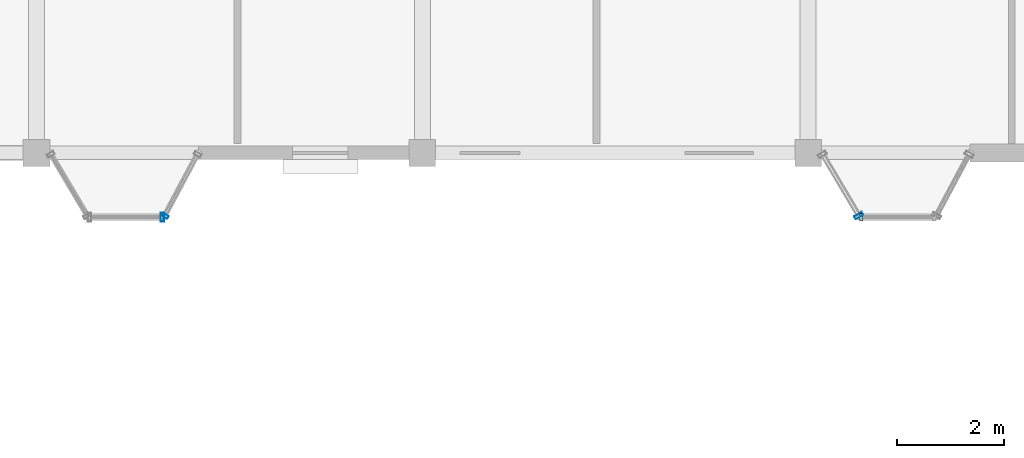
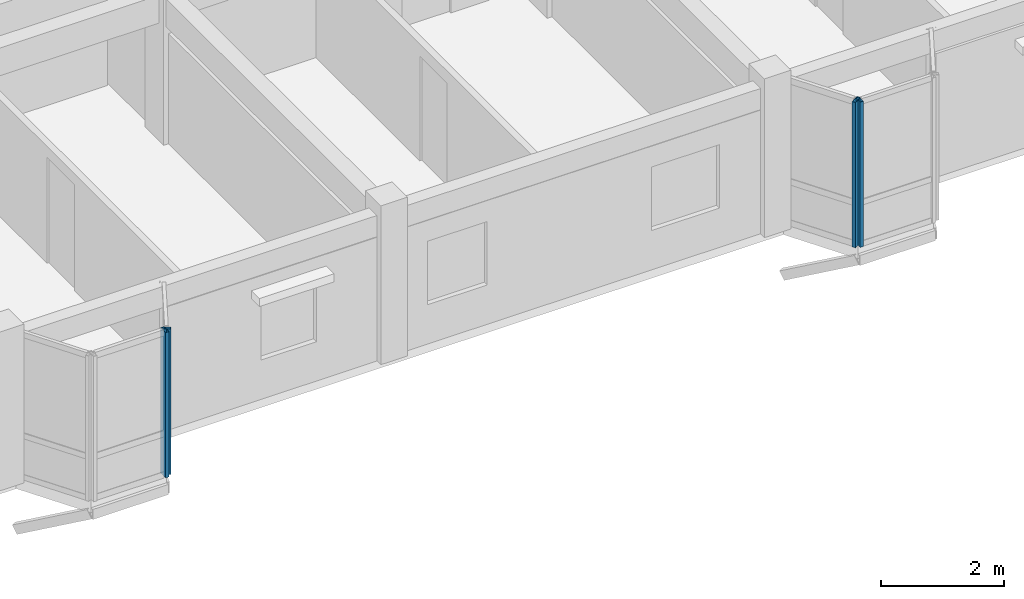
# One storey, part 32 of 65: 4 members, 4 elements without a shape of their own.
"""IFC4 building model written with IfcOpenShell, lengths in metres."""

from ifc_helpers import new_model, si_unit, direction, frame, origin, origin_2d, place, context, subcontext, project, spatial, hollow_rectangle, extrude, material, layer, layer_set, material_profile, profile_set, type_object, element, aggregate, save


model = new_model("IFC4")

# Units and contexts
model_context = context("Model", 3, precision=1e-05, world=origin(), true_north=direction((0.0, 1.0)))
body_context = subcontext(model_context, "Body", "Model", "MODEL_VIEW")
ifc_project = project(units=[si_unit("LENGTHUNIT", "METRE"), si_unit("AREAUNIT", "SQUARE_METRE"), si_unit("VOLUMEUNIT", "CUBIC_METRE"), si_unit("PLANEANGLEUNIT", "RADIAN"), si_unit("MASSUNIT", "GRAM", prefix="KILO"), si_unit("THERMODYNAMICTEMPERATUREUNIT", "KELVIN"), si_unit("POWERUNIT", "WATT")], contexts=[model_context])

# Site, building, storey
site_placement = place(None, origin())
site = spatial("IfcSite", under=ifc_project, at=site_placement, CompositionType="ELEMENT")
building_placement = place(site_placement, origin())
building = spatial("IfcBuilding", under=site, at=building_placement, Name="Tavuni Mirador Residences", CompositionType="ELEMENT")
storey_placement = place(building_placement, frame((0.0, 0.0, 29.699951171875)))
storey = spatial("IfcBuildingStorey", under=building, at=storey_placement, Name="L09", CompositionType="ELEMENT", Elevation=29.699951171875)

# Curtain wall, member
ifc_material = material(Name="Anodised aluminium", Category="aluminium")
ifc_layer_1 = layer(ifc_material, 0.175048828125, Name="Anodised aluminium", Category="aluminium")
ifc_layer_set_1 = layer_set([ifc_layer_1], Name="Anodised aluminium")
curtain_wall_type_1 = type_object("IfcCurtainWallType", Name="CWT-MIR-C", PredefinedType="NOTDEFINED", material=ifc_layer_set_1)
curtain_wall_1_placement = place(storey_placement, origin())
curtain_wall_1 = element("IfcCurtainWall", 1, at=curtain_wall_1_placement, inside=storey, type_object=curtain_wall_type_1, Name="CW-MIR-C-S2-L09-M2", PredefinedType="NOTDEFINED")
ifc_material_profile_1 = material_profile(ifc_material, hollow_rectangle(XDim=0.06005859375, YDim=0.139892578125, WallThickness=0.00390625, at=origin_2d()), Name="ALU 60x140x4.0", Category="aluminium")
ifc_profile_set_1 = profile_set([ifc_material_profile_1], Name="Anodised aluminium")
member_type_1 = type_object("IfcMemberType", Name="CWM-140", PredefinedType="MULLION", material=ifc_profile_set_1)
member_1_placement = place(storey_placement, frame((34.794189453125, 142.826416015625, 0.0), z_axis=(0.0, 0.0, 1.0), x_axis=(0.470588235296, 0.882352941175, 0.0)))
member_1 = element("IfcMember", 2, at=member_1_placement, type_object=member_type_1, Name="CW-03 mullion 1", PredefinedType="MULLION", context=body_context, shape_type="SweptSolid", body=[
    extrude(hollow_rectangle(XDim=0.06005859375, YDim=0.139892578125, WallThickness=0.00390625, at=origin_2d()), origin(), (0.0, 0.0, 1.0), 2.885009765625),
])
aggregate(curtain_wall_1, [member_1])

ifc_layer_2 = layer(ifc_material, 0.1650390625, Name="Anodised aluminium", Category="aluminium")
ifc_layer_set_2 = layer_set([ifc_layer_2], Name="Anodised aluminium")
curtain_wall_type_2 = type_object("IfcCurtainWallType", Name="CWT-MIR-A", PredefinedType="NOTDEFINED", material=ifc_layer_set_2)
curtain_wall_2_placement = place(storey_placement, origin())
curtain_wall_2 = element("IfcCurtainWall", 3, at=curtain_wall_2_placement, inside=storey, type_object=curtain_wall_type_2, Name="CW-MIR-C-S3-L09-MF", PredefinedType="NOTDEFINED")
member_2_placement = place(storey_placement, frame((47.7900390625, 142.800048828125, 0.0), z_axis=(0.0, 0.0, 1.0), x_axis=(1.0, 0.0, 0.0)))
member_2 = element("IfcMember", 4, at=member_2_placement, type_object=member_type_1, Name="CW-01 mullion 1", PredefinedType="MULLION", context=body_context, shape_type="SweptSolid", body=[
    extrude(hollow_rectangle(XDim=0.06005859375, YDim=0.139892578125, WallThickness=0.00390625, at=origin_2d()), origin(), (0.0, 0.0, 1.0), 2.885009765625),
])
aggregate(curtain_wall_2, [member_2])

ifc_layer_3 = layer(ifc_material, 0.14990234375, Name="Anodised aluminium", Category="aluminium")
ifc_layer_set_3 = layer_set([ifc_layer_3], Name="Anodised aluminium")
curtain_wall_type_3 = type_object("IfcCurtainWallType", Name="CWT-MIR-B", PredefinedType="NOTDEFINED", material=ifc_layer_set_3)
curtain_wall_3_placement = place(storey_placement, origin())
curtain_wall_3 = element("IfcCurtainWall", 5, at=curtain_wall_3_placement, inside=storey, type_object=curtain_wall_type_3, Name="CW-MIR-C-S2-L09-MF", PredefinedType="NOTDEFINED")
ifc_material_profile_2 = material_profile(ifc_material, hollow_rectangle(XDim=0.06494140625, YDim=0.1650390625, WallThickness=0.00439453125, at=origin_2d()), Name="ALU 65x165x4.5", Category="aluminium")
ifc_profile_set_2 = profile_set([ifc_material_profile_2], Name="Anodised aluminium")
member_type_2 = type_object("IfcMemberType", Name="CWM-165", PredefinedType="MULLION", material=ifc_profile_set_2)
member_3_placement = place(storey_placement, frame((34.74755859375, 142.800048828125, 0.0), z_axis=(0.0, 0.0, 1.0), x_axis=(1.0, 0.0, 0.0)))
member_3 = element("IfcMember", 6, at=member_3_placement, type_object=member_type_2, Name="CW-02 mullion 2", PredefinedType="MULLION", context=body_context, shape_type="SweptSolid", body=[
    extrude(hollow_rectangle(XDim=0.06494140625, YDim=0.1650390625, WallThickness=0.00439453125, at=origin_2d()), origin(), (0.0, 0.0, 1.0), 2.885009765625),
])
aggregate(curtain_wall_3, [member_3])

ifc_layer_4 = layer(ifc_material, 0.159912109375, Name="Anodised aluminium", Category="aluminium")
ifc_layer_set_4 = layer_set([ifc_layer_4], Name="Anodised aluminium")
curtain_wall_type_4 = type_object("IfcCurtainWallType", Name="CWT-MIR-D", PredefinedType="NOTDEFINED", material=ifc_layer_set_4)
curtain_wall_4_placement = place(storey_placement, origin())
curtain_wall_4 = element("IfcCurtainWall", 7, at=curtain_wall_4_placement, inside=storey, type_object=curtain_wall_type_4, Name="CW-MIR-C-S3-L09-M1", PredefinedType="NOTDEFINED")
member_4_placement = place(storey_placement, frame((47.743408203125, 142.827880859375, 0.0), z_axis=(0.0, 0.0, 1.0), x_axis=(0.509212491254, -0.860640830284, 0.0)))
member_4 = element("IfcMember", 8, at=member_4_placement, type_object=member_type_2, Name="CW-04 mullion 2", PredefinedType="MULLION", context=body_context, shape_type="SweptSolid", body=[
    extrude(hollow_rectangle(XDim=0.06494140625, YDim=0.1650390625, WallThickness=0.00439453125, at=origin_2d()), origin(), (0.0, 0.0, 1.0), 2.885009765625),
])
aggregate(curtain_wall_4, [member_4])

save(model, "model.ifc")
